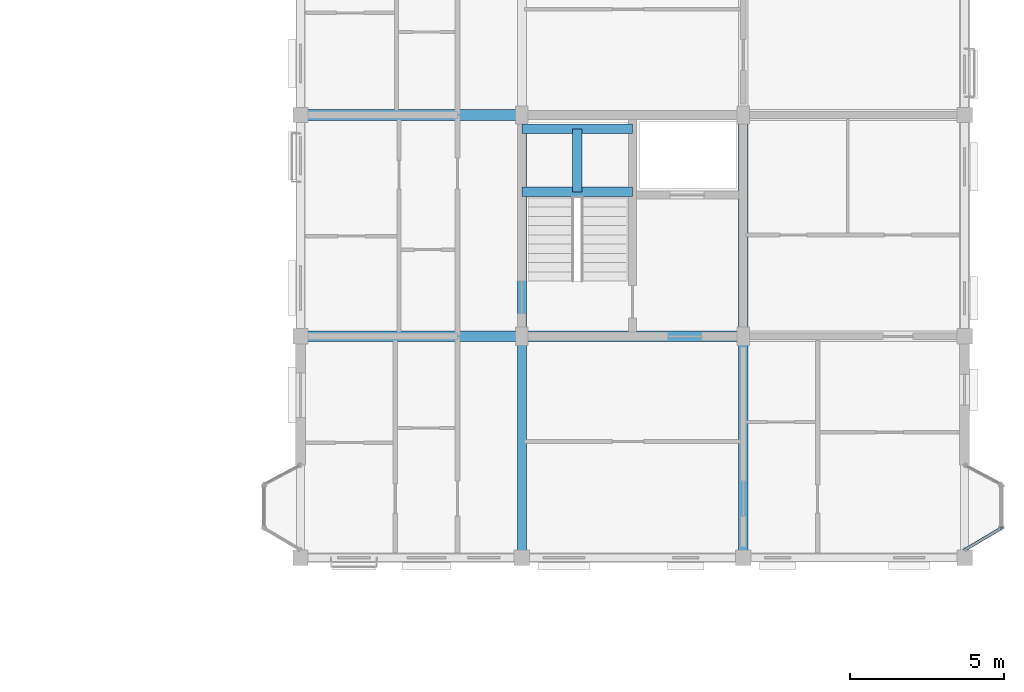
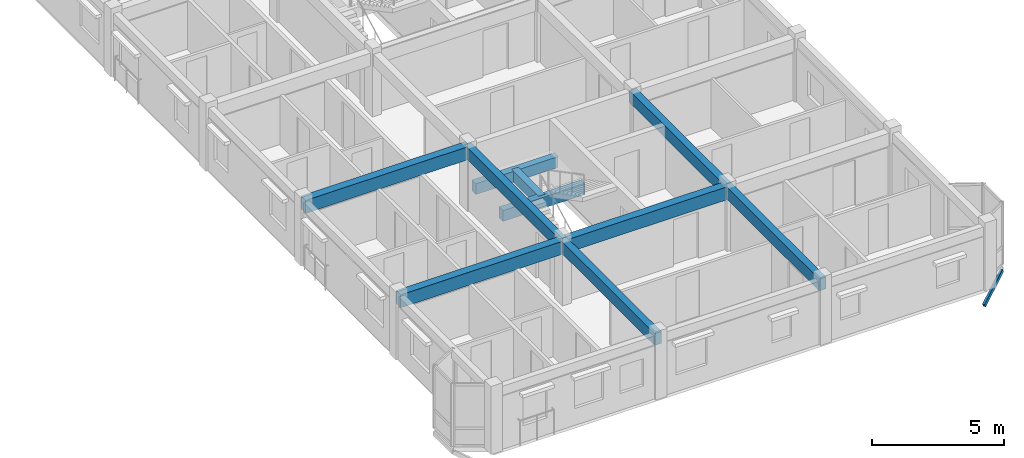
# One storey, part 17 of 64: 10 beams, 1 member.
"""IFC4 building model written with IfcOpenShell, lengths in metres."""

from ifc_helpers import new_model, si_unit, direction, frame, origin, origin_2d, place, context, subcontext, project, spatial, rectangle, hollow_rectangle, extrude, material, material_profile, profile_set, type_object, element, save


model = new_model("IFC4")

# Units and contexts
model_context = context("Model", 3, precision=1e-05, world=origin(), true_north=direction((0.0, 1.0)))
body_context = subcontext(model_context, "Body", "Model", "MODEL_VIEW")
ifc_project = project(units=[si_unit("LENGTHUNIT", "METRE"), si_unit("AREAUNIT", "SQUARE_METRE"), si_unit("VOLUMEUNIT", "CUBIC_METRE"), si_unit("PLANEANGLEUNIT", "RADIAN"), si_unit("MASSUNIT", "GRAM", prefix="KILO"), si_unit("THERMODYNAMICTEMPERATUREUNIT", "KELVIN"), si_unit("POWERUNIT", "WATT")], contexts=[model_context])

# Site, building, storey
site_placement = place(None, origin())
site = spatial("IfcSite", under=ifc_project, at=site_placement, CompositionType="ELEMENT")
building_placement = place(site_placement, origin())
building = spatial("IfcBuilding", under=site, at=building_placement, Name="Tavuni Mirador Residences", CompositionType="ELEMENT")
storey_placement = place(building_placement, frame((0.0, 0.0, 26.550048828125)))
storey = spatial("IfcBuildingStorey", under=building, at=storey_placement, Name="L08", CompositionType="ELEMENT", Elevation=26.550048828125)

# Beams
ifc_material_1 = material(Name="Precast concrete C40/50", Category="concrete")
ifc_material_profile_1 = material_profile(ifc_material_1, rectangle(XDim=0.300048828125, YDim=0.5, at=origin_2d()), Name="PC 300x500", Category="concrete")
ifc_profile_set_1 = profile_set([ifc_material_profile_1], Name="Precast concrete C40/50")
beam_type_1 = type_object("IfcBeamType", Name="BT-B500", PredefinedType="BEAM", material=ifc_profile_set_1)
for number, where, z_axis, x_axis, name in (
    (1, (104.39990234375, 98.300048828125, 1.14501953125), (1.0, 0.0, 0.0), (0.0, 1.0, 0.0), "HLB1-C7-L08"),
    (2, (104.39990234375, 100.35009765625, 1.14501953125), (1.0, 0.0, 0.0), (0.0, 1.0, 0.0), "HLB2-C7-L08"),
):
    element("IfcBeam", number, at=place(storey_placement, frame(where, z_axis=z_axis, x_axis=x_axis)), inside=storey, type_object=beam_type_1, Name=name, PredefinedType="BEAM", context=body_context, shape_type="SweptSolid", body=[
        extrude(rectangle(XDim=0.300048828125, YDim=0.5, at=origin_2d()), origin(), (0.0, 0.0, 1.0), 3.60009765625),
    ])
beam_1_placement = place(storey_placement, frame((106.199951171875, 98.300048828125, 1.14501953125), z_axis=(0.0, 1.0, 0.0), x_axis=(-1.0, 0.0, 0.0)))
element("IfcBeam", 3, at=beam_1_placement, inside=storey, type_object=beam_type_1, Name="HLB3-C7-L08", PredefinedType="BEAM", context=body_context, shape_type="SweptSolid", body=[
    extrude(rectangle(XDim=0.300048828125, YDim=0.5, at=origin_2d()), origin(), (0.0, 0.0, 1.0), 2.050048828125),
])
ifc_material_profile_2 = material_profile(ifc_material_1, rectangle(XDim=0.300048828125, YDim=0.550048828125, at=origin_2d()), Name="PC 300x550", Category="concrete")
ifc_profile_set_2 = profile_set([ifc_material_profile_2], Name="Precast concrete C40/50")
beam_type_2 = type_object("IfcBeamType", Name="BT-B550", PredefinedType="BEAM", material=ifc_profile_set_2)
beam_2_placement = place(storey_placement, frame((104.39990234375, 86.39990234375, 2.614990234375), z_axis=(0.0, 1.0, 0.0), x_axis=(-1.0, 0.0, 0.0)))
element("IfcBeam", 4, at=beam_2_placement, inside=storey, type_object=beam_type_2, Name="BMY-BLK-D-L08-01-00", PredefinedType="BEAM", context=body_context, shape_type="SweptSolid", body=[
    extrude(rectangle(XDim=0.300048828125, YDim=0.550048828125, at=origin_2d()), origin(), (0.0, 0.0, 1.0), 7.2001953125),
])
beam_3_placement = place(storey_placement, frame((104.39990234375, 93.60009765625, 2.614990234375), z_axis=(0.0, 1.0, 0.0), x_axis=(-1.0, 0.0, 0.0)))
element("IfcBeam", 5, at=beam_3_placement, inside=storey, type_object=beam_type_2, Name="BMY-BLK-D-L08-01-01", PredefinedType="BEAM", context=body_context, shape_type="SweptSolid", body=[
    extrude(rectangle(XDim=0.300048828125, YDim=0.550048828125, at=origin_2d()), origin(), (0.0, 0.0, 1.0), 7.199951171875),
])
beam_4_placement = place(storey_placement, frame((111.60009765625, 86.39990234375, 2.614990234375), z_axis=(0.0, 1.0, 0.0), x_axis=(-1.0, 0.0, 0.0)))
element("IfcBeam", 6, at=beam_4_placement, inside=storey, type_object=beam_type_2, Name="BMY-BLK-D-L08-02-00", PredefinedType="BEAM", context=body_context, shape_type="SweptSolid", body=[
    extrude(rectangle(XDim=0.300048828125, YDim=0.550048828125, at=origin_2d()), origin(), (0.0, 0.0, 1.0), 7.2001953125),
])
beam_5_placement = place(storey_placement, frame((111.60009765625, 93.60009765625, 2.614990234375), z_axis=(0.0, 1.0, 0.0), x_axis=(-1.0, 0.0, 0.0)))
element("IfcBeam", 7, at=beam_5_placement, inside=storey, type_object=beam_type_2, Name="BMY-BLK-D-L08-02-01", PredefinedType="BEAM", context=body_context, shape_type="SweptSolid", body=[
    extrude(rectangle(XDim=0.300048828125, YDim=0.550048828125, at=origin_2d()), origin(), (0.0, 0.0, 1.0), 7.199951171875),
])
ifc_material_profile_3 = material_profile(ifc_material_1, rectangle(XDim=0.35009765625, YDim=0.60009765625, at=origin_2d()), Name="PC 350x600", Category="concrete")
ifc_profile_set_3 = profile_set([ifc_material_profile_3], Name="Precast concrete C40/50")
beam_type_3 = type_object("IfcBeamType", Name="BT-B600", PredefinedType="BEAM", material=ifc_profile_set_3)
beam_6_placement = place(storey_placement, frame((97.199951171875, 93.60009765625, 2.58984375), z_axis=(1.0, 0.0, 0.0), x_axis=(0.0, 1.0, 0.0)))
element("IfcBeam", 8, at=beam_6_placement, inside=storey, type_object=beam_type_3, Name="BMX-BLK-D-L08-00-01", PredefinedType="BEAM", context=body_context, shape_type="SweptSolid", body=[
    extrude(rectangle(XDim=0.35009765625, YDim=0.60009765625, at=origin_2d()), origin(), (0.0, 0.0, 1.0), 7.199951171875),
])
beam_7_placement = place(storey_placement, frame((104.39990234375, 93.60009765625, 2.58984375), z_axis=(1.0, 0.0, 0.0), x_axis=(0.0, 1.0, 0.0)))
element("IfcBeam", 9, at=beam_7_placement, inside=storey, type_object=beam_type_3, Name="BMX-BLK-D-L08-01-01", PredefinedType="BEAM", context=body_context, shape_type="SweptSolid", body=[
    extrude(rectangle(XDim=0.35009765625, YDim=0.60009765625, at=origin_2d()), origin(), (0.0, 0.0, 1.0), 7.2001953125),
])
beam_8_placement = place(storey_placement, frame((97.199951171875, 100.800048828125, 2.58984375), z_axis=(1.0, 0.0, 0.0), x_axis=(0.0, 1.0, 0.0)))
element("IfcBeam", 10, at=beam_8_placement, inside=storey, type_object=beam_type_3, Name="BMX-BLK-D-L08-00-02", PredefinedType="BEAM", context=body_context, shape_type="SweptSolid", body=[
    extrude(rectangle(XDim=0.35009765625, YDim=0.60009765625, at=origin_2d()), origin(), (0.0, 0.0, 1.0), 7.199951171875),
])

# Member
ifc_material_2 = material(Name="Structural steel S355", Category="steel")
ifc_material_profile_4 = material_profile(ifc_material_2, hollow_rectangle(XDim=0.10009765625, YDim=0.179931640625, WallThickness=0.008056640625, at=origin_2d()), Name="RHS 180x100x8.0", Category="steel")
ifc_profile_set_4 = profile_set([ifc_material_profile_4], Name="Structural steel S355")
member_type = type_object("IfcMemberType", Name="MT-BR-RHS180", PredefinedType="BRACE", material=ifc_profile_set_4)
member_placement = place(storey_placement, frame((118.800048828125, 86.64990234375, -1.050048828125), z_axis=(0.748736867026, 0.443148636048, 0.492962869114), x_axis=(-0.509336771823, 0.860567285497, 0.0)))
element("IfcMember", 11, at=member_placement, inside=storey, type_object=member_type, Name="MBRK-MIR-D-E1-L08-1", PredefinedType="BRACE", context=body_context, shape_type="SweptSolid", body=[
    extrude(hollow_rectangle(XDim=0.10009765625, YDim=0.179931640625, WallThickness=0.008056640625, at=origin_2d()), origin(), (0.0, 0.0, 1.0), 1.6025390625),
])

save(model, "model.ifc")
